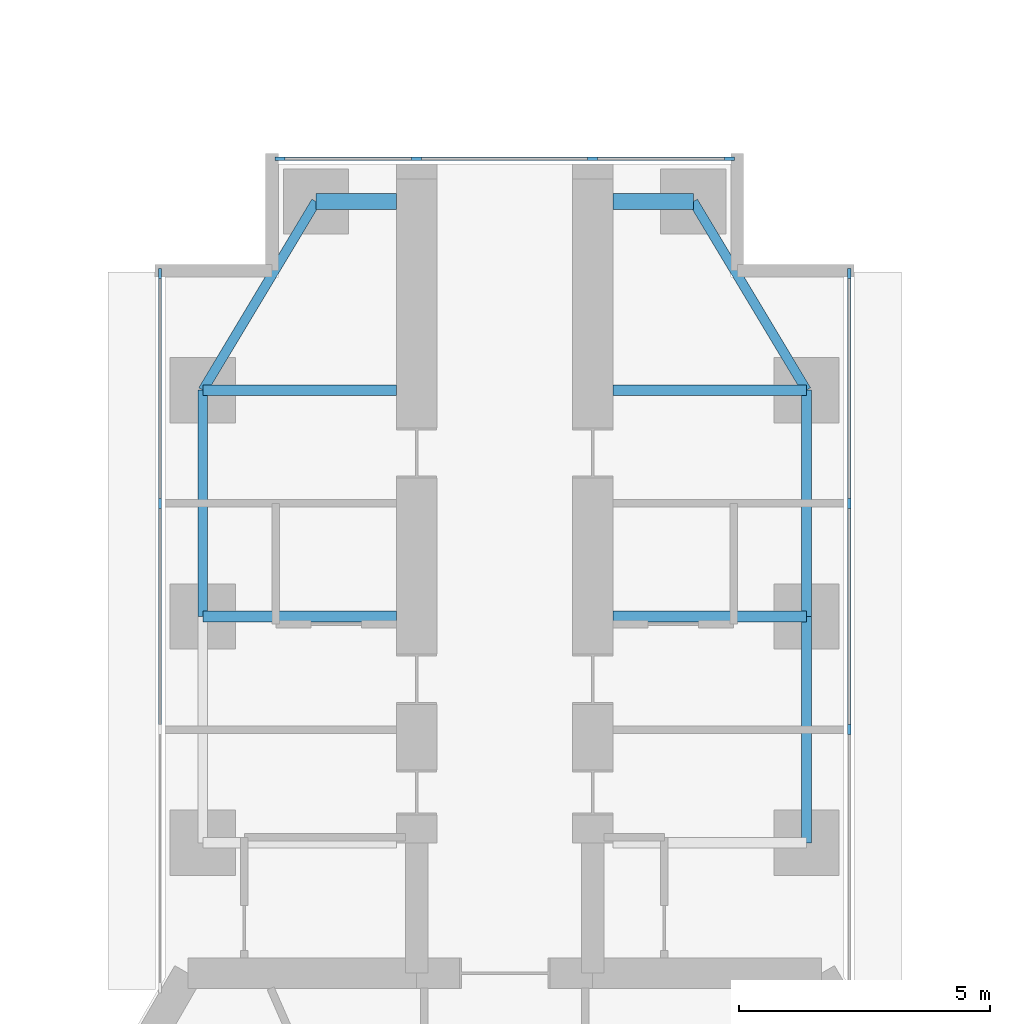
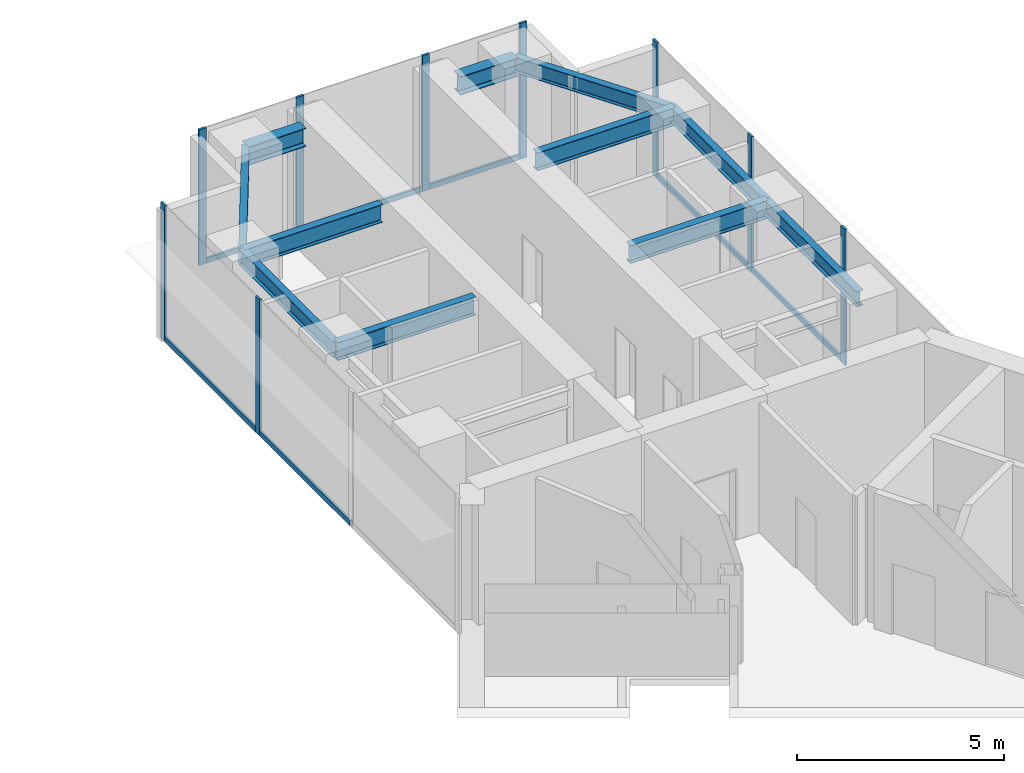
# One storey, part 12 of 22: 16 members, 11 beams, 3 elements without a shape of their own.
"""IFC4 building model written with IfcOpenShell, lengths in metres."""

from ifc_helpers import new_model, si_unit, direction, frame, origin, origin_2d, place, context, subcontext, project, spatial, rectangle, i_section, extrude, material, material_profile, profile_set, type_object, element, aggregate, save


model = new_model("IFC4")

# Units and contexts
model_context = context("Model", 3, precision=1e-05, world=origin(), true_north=direction((0.0, 1.0)))
body_context = subcontext(model_context, "Body", "Model", "MODEL_VIEW")
ifc_project = project(units=[si_unit("LENGTHUNIT", "METRE"), si_unit("AREAUNIT", "SQUARE_METRE"), si_unit("VOLUMEUNIT", "CUBIC_METRE"), si_unit("PLANEANGLEUNIT", "RADIAN"), si_unit("MASSUNIT", "GRAM", prefix="KILO")], contexts=[model_context])

# Site, building, storey
site_placement = place(None, origin())
site = spatial("IfcSite", under=ifc_project, at=site_placement, CompositionType="ELEMENT")
building_placement = place(site_placement, origin())
building = spatial("IfcBuilding", under=site, at=building_placement, Name="Upepo Twin Towers", CompositionType="ELEMENT")
storey_placement = place(building_placement, frame((0.0, 0.0, 129.5)))
storey = spatial("IfcBuildingStorey", under=building, at=storey_placement, Name="L31", CompositionType="ELEMENT", Elevation=129.5)

# Beams
ifc_material_1 = material(Name="Steel S355", Category="steel")
ifc_material_profile_1 = material_profile(ifc_material_1, i_section(OverallWidth=0.1904296875, OverallDepth=0.45703125, WebThickness=0.009033203125, FlangeThickness=0.014404296875, FilletRadius=0.01025390625, at=origin_2d()), Name="UB 457x191x74")
ifc_profile_set_1 = profile_set([ifc_material_profile_1], Name="Steel S355")
beam_type_1 = type_object("IfcBeamType", Name="Beam UB 457x191x74", PredefinedType="BEAM", material=ifc_profile_set_1)
beam_1_placement = place(storey_placement, frame((52.5, 0.0, 3.571533203125), z_axis=(0.0, 1.0, 0.0), x_axis=(-1.0, 0.0, 0.0)))
element("IfcBeam", 1, at=beam_1_placement, inside=storey, type_object=beam_type_1, Name="T2 edge beam AL 18.0-22.5", PredefinedType="BEAM", context=body_context, shape_type="SweptSolid", body=[
    extrude(i_section(OverallWidth=0.1904296875, OverallDepth=0.45703125, WebThickness=0.009033203125, FlangeThickness=0.014404296875, FilletRadius=0.01025390625, at=origin_2d()), origin(), (0.0, 0.0, 1.0), 4.5),
])
beam_2_placement = place(storey_placement, frame((52.5, 4.5, 3.571533203125), z_axis=(0.514495755428, 0.857492925713, 0.0), x_axis=(-0.857492925713, 0.514495755428, 0.0)))
element("IfcBeam", 2, at=beam_2_placement, inside=storey, type_object=beam_type_1, Name="T2 nose edge beam AL", PredefinedType="BEAM", context=body_context, shape_type="SweptSolid", body=[
    extrude(i_section(OverallWidth=0.1904296875, OverallDepth=0.45703125, WebThickness=0.009033203125, FlangeThickness=0.014404296875, FilletRadius=0.01025390625, at=origin_2d()), origin(), (0.0, 0.0, 1.0), 4.373291015625),
])
for number, where, z_axis, x_axis, name in (
    (3, (64.5, -4.5, 3.571533203125), (0.0, 1.0, 0.0), (-1.0, 0.0, 0.0), "T2 edge beam AR 13.5-18.0"),
    (4, (64.5, 0.0, 3.571533203125), (0.0, 1.0, 0.0), (-1.0, 0.0, 0.0), "T2 edge beam AR 18.0-22.5"),
):
    element("IfcBeam", number, at=place(storey_placement, frame(where, z_axis=z_axis, x_axis=x_axis)), inside=storey, type_object=beam_type_1, Name=name, PredefinedType="BEAM", context=body_context, shape_type="SweptSolid", body=[
        extrude(i_section(OverallWidth=0.1904296875, OverallDepth=0.45703125, WebThickness=0.009033203125, FlangeThickness=0.014404296875, FilletRadius=0.01025390625, at=origin_2d()), origin(), (0.0, 0.0, 1.0), 4.5),
    ])
beam_3_placement = place(storey_placement, frame((64.5, 4.5, 3.571533203125), z_axis=(-0.514495755428, 0.857492925713, 0.0), x_axis=(-0.857492925713, -0.514495755428, 0.0)))
element("IfcBeam", 5, at=beam_3_placement, inside=storey, type_object=beam_type_1, Name="T2 nose edge beam AR", PredefinedType="BEAM", context=body_context, shape_type="SweptSolid", body=[
    extrude(i_section(OverallWidth=0.1904296875, OverallDepth=0.45703125, WebThickness=0.009033203125, FlangeThickness=0.014404296875, FilletRadius=0.01025390625, at=origin_2d()), origin(), (0.0, 0.0, 1.0), 4.373291015625),
])
ifc_material_2 = material(Name="Steel S355", Category="steel")
ifc_material_profile_2 = material_profile(ifc_material_2, i_section(OverallWidth=0.209228515625, OverallDepth=0.533203125, WebThickness=0.010009765625, FlangeThickness=0.015625, FilletRadius=0.0126953125, at=origin_2d()), Name="UB 533x210x92")
ifc_profile_set_2 = profile_set([ifc_material_profile_2], Name="Steel S355")
beam_type_2 = type_object("IfcBeamType", Name="Beam UB 533x210x92", PredefinedType="BEAM", material=ifc_profile_set_2)
for number, where, z_axis, x_axis, name in (
    (6, (52.5, 0.0, 3.533447265625), (1.0, 0.0, 0.0), (0.0, 1.0, 0.0), "T2 girder AL at 18.0"),
    (7, (52.5, 4.5, 3.533447265625), (1.0, 0.0, 0.0), (0.0, 1.0, 0.0), "T2 girder AL at 22.5"),
    (8, (64.5, 0.0, 3.533447265625), (-1.0, 0.0, 0.0), (0.0, -1.0, 0.0), "T2 girder AR at 18.0"),
    (9, (64.5, 4.5, 3.533447265625), (-1.0, 0.0, 0.0), (0.0, -1.0, 0.0), "T2 girder AR at 22.5"),
):
    element("IfcBeam", number, at=place(storey_placement, frame(where, z_axis=z_axis, x_axis=x_axis)), inside=storey, type_object=beam_type_2, Name=name, PredefinedType="BEAM", context=body_context, shape_type="SweptSolid", body=[
        extrude(i_section(OverallWidth=0.209228515625, OverallDepth=0.533203125, WebThickness=0.010009765625, FlangeThickness=0.015625, FilletRadius=0.0126953125, at=origin_2d()), origin(), (0.0, 0.0, 1.0), 3.85009765625),
    ])
ifc_material_3 = material(Name="Steel S355", Category="steel")
ifc_material_profile_3 = material_profile(ifc_material_3, i_section(OverallWidth=0.31201171875, OverallDepth=0.54345703125, WebThickness=0.0126953125, FlangeThickness=0.020263671875, FilletRadius=0.0126953125, at=origin_2d()), Name="UB 533x312x150")
ifc_profile_set_3 = profile_set([ifc_material_profile_3], Name="Steel S355")
beam_type_3 = type_object("IfcBeamType", Name="Beam UB 533x312x150", PredefinedType="BEAM", material=ifc_profile_set_3)
for number, where, z_axis, x_axis, name in (
    (10, (54.75, 8.25, 3.5283203125), (1.0, 0.0, 0.0), (0.0, 1.0, 0.0), "T2 nose beam AL"),
    (11, (62.25, 8.25, 3.5283203125), (-1.0, 0.0, 0.0), (0.0, -1.0, 0.0), "T2 nose beam AR"),
):
    element("IfcBeam", number, at=place(storey_placement, frame(where, z_axis=z_axis, x_axis=x_axis)), inside=storey, type_object=beam_type_3, Name=name, PredefinedType="BEAM", context=body_context, shape_type="SweptSolid", body=[
        extrude(i_section(OverallWidth=0.31201171875, OverallDepth=0.54345703125, WebThickness=0.0126953125, FlangeThickness=0.020263671875, FilletRadius=0.0126953125, at=origin_2d()), origin(), (0.0, 0.0, 1.0), 1.60009765625),
    ])

# Curtain wall, members
ifc_material_4 = material(Name="Aluminium and fritted glass", Category="aluminium")
curtain_wall_type = type_object("IfcCurtainWallType", Name="Tower curtain wall TW2, fritted glass", PredefinedType="NOTDEFINED", material=ifc_material_4)
curtain_wall_1_placement = place(storey_placement, origin())
curtain_wall_1 = element("IfcCurtainWall", 12, at=curtain_wall_1_placement, inside=storey, type_object=curtain_wall_type, Name="T2 L31 wing A flank L curtain wall", PredefinedType="NOTDEFINED")
ifc_material_5 = material(Name="Aluminium mullion", Category="aluminium")
ifc_material_profile_4 = material_profile(ifc_material_5, rectangle(XDim=0.06494140625, YDim=0.199951171875, at=origin_2d()), Name="MULLION 65x200")
ifc_profile_set_4 = profile_set([ifc_material_profile_4], Name="Aluminium mullion")
member_type_1 = type_object("IfcMemberType", Name="Mullion 65x200 TW2", PredefinedType="MULLION", material=ifc_profile_set_4)
member_1_placement = place(storey_placement, frame((51.64990234375, 2.25, 0.0), z_axis=(0.0, 0.0, 1.0), x_axis=(-1.0, 0.0, 0.0)))
member_1 = element("IfcMember", 13, at=member_1_placement, type_object=member_type_1, Name="T2 L31 wing A flank L curtain wall mullion 3", PredefinedType="MULLION", context=body_context, shape_type="SweptSolid", body=[
    extrude(rectangle(XDim=0.06494140625, YDim=0.199951171875, at=origin_2d()), origin(), (0.0, 0.0, 1.0), 4.0),
])
member_2_placement = place(storey_placement, frame((51.64990234375, 6.8173828125, 0.0), z_axis=(0.0, 0.0, 1.0), x_axis=(-1.0, 0.0, 0.0)))
member_2 = element("IfcMember", 14, at=member_2_placement, type_object=member_type_1, Name="T2 L31 wing A flank L curtain wall mullion 4", PredefinedType="MULLION", context=body_context, shape_type="SweptSolid", body=[
    extrude(rectangle(XDim=0.06494140625, YDim=0.199951171875, at=origin_2d()), origin(), (0.0, 0.0, 1.0), 4.0),
])

curtain_wall_2_placement = place(storey_placement, origin())
curtain_wall_2 = element("IfcCurtainWall", 15, at=curtain_wall_2_placement, inside=storey, type_object=curtain_wall_type, Name="T2 L31 wing A flank R curtain wall", PredefinedType="NOTDEFINED")
member_3_placement = place(storey_placement, frame((65.35009765625, 6.8173828125, 0.0), z_axis=(0.0, 0.0, 1.0), x_axis=(1.0, 0.0, 0.0)))
member_3 = element("IfcMember", 16, at=member_3_placement, type_object=member_type_1, Name="T2 L31 wing A flank R curtain wall mullion 1", PredefinedType="MULLION", context=body_context, shape_type="SweptSolid", body=[
    extrude(rectangle(XDim=0.06494140625, YDim=0.199951171875, at=origin_2d()), origin(), (0.0, 0.0, 1.0), 4.0),
])
member_4_placement = place(storey_placement, frame((65.35009765625, 2.25, 0.0), z_axis=(0.0, 0.0, 1.0), x_axis=(1.0, 0.0, 0.0)))
member_4 = element("IfcMember", 17, at=member_4_placement, type_object=member_type_1, Name="T2 L31 wing A flank R curtain wall mullion 2", PredefinedType="MULLION", context=body_context, shape_type="SweptSolid", body=[
    extrude(rectangle(XDim=0.06494140625, YDim=0.199951171875, at=origin_2d()), origin(), (0.0, 0.0, 1.0), 4.0),
])
member_5_placement = place(storey_placement, frame((65.35009765625, -2.25, 0.0), z_axis=(0.0, 0.0, 1.0), x_axis=(1.0, 0.0, 0.0)))
member_5 = element("IfcMember", 18, at=member_5_placement, type_object=member_type_1, Name="T2 L31 wing A flank R curtain wall mullion 3", PredefinedType="MULLION", context=body_context, shape_type="SweptSolid", body=[
    extrude(rectangle(XDim=0.06494140625, YDim=0.199951171875, at=origin_2d()), origin(), (0.0, 0.0, 1.0), 4.0),
])

curtain_wall_3_placement = place(storey_placement, origin())
curtain_wall_3 = element("IfcCurtainWall", 19, at=curtain_wall_3_placement, inside=storey, type_object=curtain_wall_type, Name="T2 L31 wing A nose curtain wall", PredefinedType="NOTDEFINED")
member_6_placement = place(storey_placement, frame((62.967529296875, 9.10009765625, 0.0), z_axis=(0.0, 0.0, 1.0), x_axis=(0.0, -1.0, 0.0)))
member_6 = element("IfcMember", 20, at=member_6_placement, type_object=member_type_1, Name="T2 L31 wing A nose curtain wall mullion 1", PredefinedType="MULLION", context=body_context, shape_type="SweptSolid", body=[
    extrude(rectangle(XDim=0.06494140625, YDim=0.199951171875, at=origin_2d()), origin(), (0.0, 0.0, 1.0), 4.0),
])
member_7_placement = place(storey_placement, frame((60.25, 9.10009765625, 0.0), z_axis=(0.0, 0.0, 1.0), x_axis=(0.0, -1.0, 0.0)))
member_7 = element("IfcMember", 21, at=member_7_placement, type_object=member_type_1, Name="T2 L31 wing A nose curtain wall mullion 2", PredefinedType="MULLION", context=body_context, shape_type="SweptSolid", body=[
    extrude(rectangle(XDim=0.06494140625, YDim=0.199951171875, at=origin_2d()), origin(), (0.0, 0.0, 1.0), 4.0),
])
member_8_placement = place(storey_placement, frame((56.75, 9.10009765625, 0.0), z_axis=(0.0, 0.0, 1.0), x_axis=(0.0, -1.0, 0.0)))
member_8 = element("IfcMember", 22, at=member_8_placement, type_object=member_type_1, Name="T2 L31 wing A nose curtain wall mullion 3", PredefinedType="MULLION", context=body_context, shape_type="SweptSolid", body=[
    extrude(rectangle(XDim=0.06494140625, YDim=0.199951171875, at=origin_2d()), origin(), (0.0, 0.0, 1.0), 4.0),
])
member_9_placement = place(storey_placement, frame((54.032470703125, 9.10009765625, 0.0), z_axis=(0.0, 0.0, 1.0), x_axis=(0.0, -1.0, 0.0)))
member_9 = element("IfcMember", 23, at=member_9_placement, type_object=member_type_1, Name="T2 L31 wing A nose curtain wall mullion 4", PredefinedType="MULLION", context=body_context, shape_type="SweptSolid", body=[
    extrude(rectangle(XDim=0.06494140625, YDim=0.199951171875, at=origin_2d()), origin(), (0.0, 0.0, 1.0), 4.0),
])

# Member
ifc_material_6 = material(Name="Aluminium transom", Category="aluminium")
ifc_material_profile_5 = material_profile(ifc_material_6, rectangle(XDim=0.06494140625, YDim=0.14990234375, at=origin_2d()), Name="TRANSOM 65x150")
ifc_profile_set_5 = profile_set([ifc_material_profile_5], Name="Aluminium transom")
member_type_2 = type_object("IfcMemberType", Name="Transom 65x150 TW2", PredefinedType="USERDEFINED", material=ifc_profile_set_5)
member_10_placement = place(storey_placement, frame((51.64990234375, -2.217529296875, 0.074951171875), z_axis=(0.0, 1.0, 0.0), x_axis=(-1.0, 0.0, 0.0)))
member_10 = element("IfcMember", 24, at=member_10_placement, type_object=member_type_2, Name="T2 L31 wing A flank L curtain wall transom 2", ObjectType="TRANSOM", PredefinedType="USERDEFINED", context=body_context, shape_type="SweptSolid", body=[
    extrude(rectangle(XDim=0.06494140625, YDim=0.14990234375, at=origin_2d()), origin(), (0.0, 0.0, 1.0), 4.43505859375),
])

member_11_placement = place(storey_placement, frame((51.64990234375, 2.282470703125, 0.074951171875), z_axis=(0.0, 1.0, 0.0), x_axis=(-1.0, 0.0, 0.0)))
member_11 = element("IfcMember", 25, at=member_11_placement, type_object=member_type_2, Name="T2 L31 wing A flank L curtain wall transom 3", ObjectType="TRANSOM", PredefinedType="USERDEFINED", context=body_context, shape_type="SweptSolid", body=[
    extrude(rectangle(XDim=0.06494140625, YDim=0.14990234375, at=origin_2d()), origin(), (0.0, 0.0, 1.0), 4.50244140625),
])

aggregate(curtain_wall_1, [member_1, member_2, member_10, member_11])

member_12_placement = place(storey_placement, frame((65.35009765625, 6.784912109375, 0.074951171875), z_axis=(0.0, -1.0, 0.0), x_axis=(1.0, 0.0, 0.0)))
member_12 = element("IfcMember", 26, at=member_12_placement, type_object=member_type_2, Name="T2 L31 wing A flank R curtain wall transom 1", ObjectType="TRANSOM", PredefinedType="USERDEFINED", context=body_context, shape_type="SweptSolid", body=[
    extrude(rectangle(XDim=0.06494140625, YDim=0.14990234375, at=origin_2d()), origin(), (0.0, 0.0, 1.0), 4.50244140625),
])

member_13_placement = place(storey_placement, frame((65.35009765625, 2.217529296875, 0.074951171875), z_axis=(0.0, -1.0, 0.0), x_axis=(1.0, 0.0, 0.0)))
member_13 = element("IfcMember", 27, at=member_13_placement, type_object=member_type_2, Name="T2 L31 wing A flank R curtain wall transom 2", ObjectType="TRANSOM", PredefinedType="USERDEFINED", context=body_context, shape_type="SweptSolid", body=[
    extrude(rectangle(XDim=0.06494140625, YDim=0.14990234375, at=origin_2d()), origin(), (0.0, 0.0, 1.0), 4.43505859375),
])

aggregate(curtain_wall_2, [member_3, member_4, member_5, member_12, member_13])

member_14_placement = place(storey_placement, frame((62.93505859375, 9.10009765625, 0.074951171875), z_axis=(-1.0, 0.0, 0.0), x_axis=(0.0, -1.0, 0.0)))
member_14 = element("IfcMember", 28, at=member_14_placement, type_object=member_type_2, Name="T2 L31 wing A nose curtain wall transom 1", ObjectType="TRANSOM", PredefinedType="USERDEFINED", context=body_context, shape_type="SweptSolid", body=[
    extrude(rectangle(XDim=0.06494140625, YDim=0.14990234375, at=origin_2d()), origin(), (0.0, 0.0, 1.0), 2.652587890625),
])

member_15_placement = place(storey_placement, frame((60.217529296875, 9.10009765625, 0.074951171875), z_axis=(-1.0, 0.0, 0.0), x_axis=(0.0, -1.0, 0.0)))
member_15 = element("IfcMember", 29, at=member_15_placement, type_object=member_type_2, Name="T2 L31 wing A nose curtain wall transom 2", ObjectType="TRANSOM", PredefinedType="USERDEFINED", context=body_context, shape_type="SweptSolid", body=[
    extrude(rectangle(XDim=0.06494140625, YDim=0.14990234375, at=origin_2d()), origin(), (0.0, 0.0, 1.0), 3.43505859375),
])

member_16_placement = place(storey_placement, frame((56.717529296875, 9.10009765625, 0.074951171875), z_axis=(-1.0, 0.0, 0.0), x_axis=(0.0, -1.0, 0.0)))
member_16 = element("IfcMember", 30, at=member_16_placement, type_object=member_type_2, Name="T2 L31 wing A nose curtain wall transom 3", ObjectType="TRANSOM", PredefinedType="USERDEFINED", context=body_context, shape_type="SweptSolid", body=[
    extrude(rectangle(XDim=0.06494140625, YDim=0.14990234375, at=origin_2d()), origin(), (0.0, 0.0, 1.0), 2.652587890625),
])

aggregate(curtain_wall_3, [member_6, member_7, member_8, member_9, member_14, member_15, member_16])

save(model, "model.ifc")
